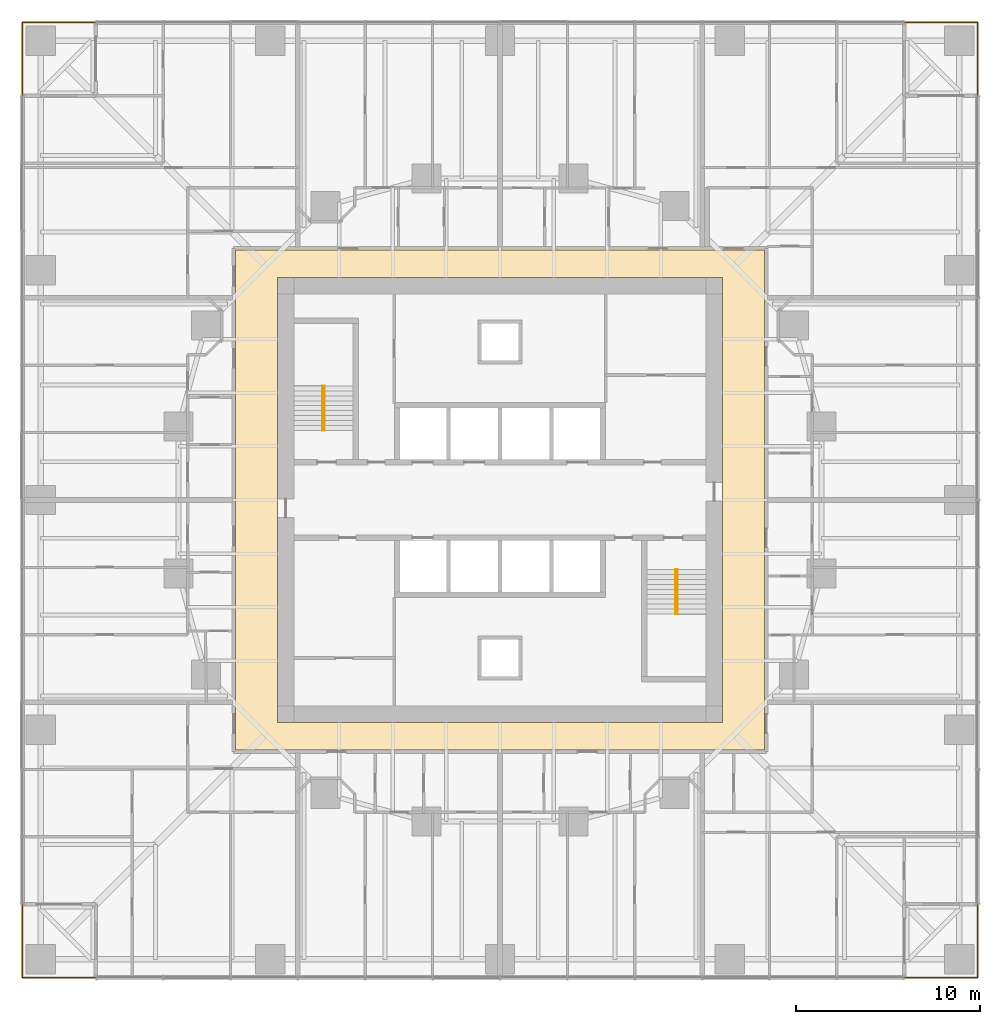
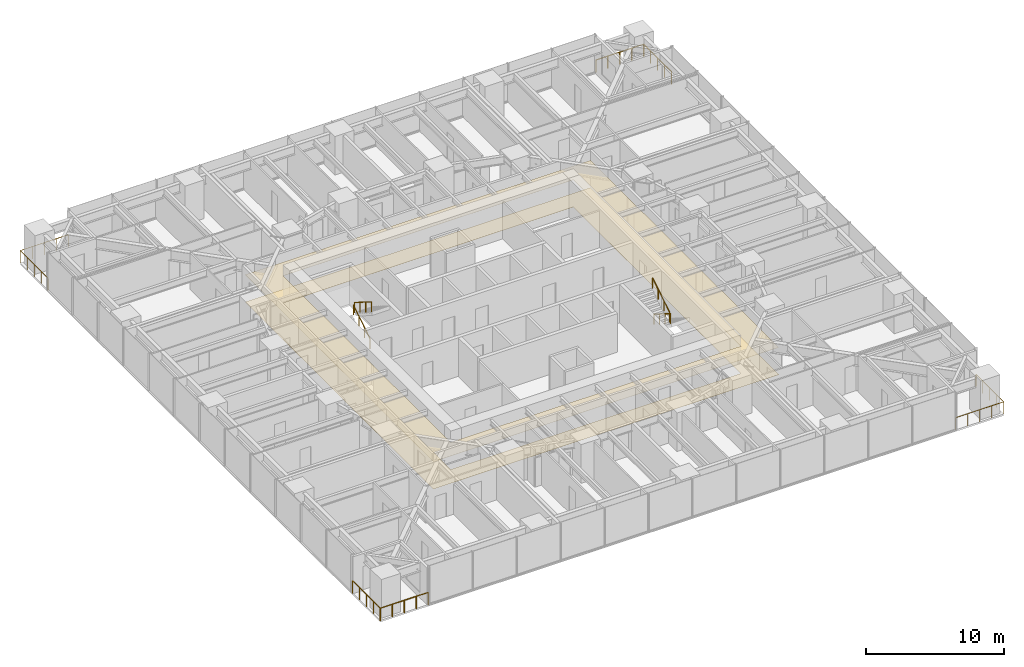
# One storey, part 17 of 17: 8 railings, 2 coverings, 2 elements without a shape of their own.
"""IFC4 building model written with IfcOpenShell, lengths in metres."""

from ifc_helpers import new_model, si_unit, direction, frame, origin, origin_2d, place, context, subcontext, project, spatial, polyline, circle, outline, extrude, material, layer, layer_set, type_object, element, aggregate, save


model = new_model("IFC4")

# Units and contexts
model_context = context("Model", 3, precision=1e-05, world=origin(), true_north=direction((0.0, 1.0)))
body_context = subcontext(model_context, "Body", "Model", "MODEL_VIEW")
ifc_project = project(units=[si_unit("LENGTHUNIT", "METRE"), si_unit("AREAUNIT", "SQUARE_METRE"), si_unit("VOLUMEUNIT", "CUBIC_METRE"), si_unit("PLANEANGLEUNIT", "RADIAN"), si_unit("MASSUNIT", "GRAM", prefix="KILO")], contexts=[model_context])

# Site, building, storey
site_placement = place(None, origin())
site = spatial("IfcSite", under=ifc_project, at=site_placement, CompositionType="ELEMENT")
building_placement = place(site_placement, origin())
building = spatial("IfcBuilding", under=site, at=building_placement, Name="Torsade Residences", CompositionType="ELEMENT")
storey_placement = place(building_placement, frame((0.0, 0.0, 21.800048828125)))
storey = spatial("IfcBuildingStorey", under=building, at=storey_placement, Name="L05", CompositionType="ELEMENT", Elevation=21.800048828125)

# Coverings
ifc_material_1 = material(Name="Nylon carpet tile on underlay", Category="textile")
ifc_layer_1 = layer(ifc_material_1, 0.010009765625)
ifc_layer_set_1 = layer_set([ifc_layer_1], Name="Nylon carpet tile on underlay")
covering_type_1 = type_object("IfcCoveringType", Name="CORRIDOR CARPET TILE 10", PredefinedType="FLOORING", material=ifc_layer_set_1)
covering_1_placement = place(storey_placement, origin())
element("IfcCovering", 1, at=covering_1_placement, inside=storey, type_object=covering_type_1, Name="Corridor carpet L05", PredefinedType="FLOORING", context=body_context, shape_type="SweptSolid", body=[
    extrude(outline(polyline([(54.39990234375, 16.39990234375), (54.39990234375, 43.60009765625), (25.60009765625, 43.60009765625), (25.60009765625, 16.39990234375), (54.39990234375, 16.39990234375)]), holes=[polyline([(52.10009765625, 42.10009765625), (27.89990234375, 42.10009765625), (27.89990234375, 17.89990234375), (52.10009765625, 17.89990234375), (52.10009765625, 42.10009765625)])]), origin(), (0.0, 0.0, 1.0), 0.010009765625),
])
ifc_material_2 = material(Name="Plasterboard on suspended steel grid", Category="steel")
ifc_layer_2 = layer(ifc_material_2, 0.012939453125)
ifc_layer_set_2 = layer_set([ifc_layer_2], Name="Plasterboard on suspended steel grid")
covering_type_2 = type_object("IfcCoveringType", Name="CORRIDOR SUSPENDED CEILING 13", PredefinedType="CEILING", material=ifc_layer_set_2)
covering_2_placement = place(storey_placement, frame((0.0, 0.0, 2.39990234375)))
element("IfcCovering", 2, at=covering_2_placement, inside=storey, type_object=covering_type_2, Name="Corridor ceiling L05", PredefinedType="CEILING", context=body_context, shape_type="SweptSolid", body=[
    extrude(outline(polyline([(54.39990234375, 16.39990234375), (54.39990234375, 43.60009765625), (25.60009765625, 43.60009765625), (25.60009765625, 16.39990234375), (54.39990234375, 16.39990234375)]), holes=[polyline([(52.10009765625, 42.10009765625), (27.89990234375, 42.10009765625), (27.89990234375, 17.89990234375), (52.10009765625, 17.89990234375), (52.10009765625, 42.10009765625)])]), origin(), (0.0, 0.0, 1.0), 0.012939453125),
])

# Stair, railings
ifc_material_3 = material(Name="Precast concrete 40 MPa", Category="concrete")
stair_type = type_object("IfcStairType", Name="HALF-TURN FIRE STAIR 1500x3400", PredefinedType="HALF_TURN_STAIR", material=ifc_material_3)
stair_1_placement = place(storey_placement, origin())
stair_1 = element("IfcStair", 3, at=stair_1_placement, inside=storey, type_object=stair_type, Name="Stair ST1 L05", PredefinedType="HALF_TURN_STAIR")
ifc_material_4 = material(Name="Steel handrail", Category="steel")
railing_type_1 = type_object("IfcRailingType", Name="STAIR HANDRAIL 900", PredefinedType="HANDRAIL", material=ifc_material_4)
railing_1_placement = place(storey_placement, frame((30.35009765625, 33.780029296875, 0.169921875)))
railing_1 = element("IfcRailing", 4, at=railing_1_placement, type_object=railing_type_1, Name="Handrail ST1 flight 1 L05", PredefinedType="HANDRAIL", context=body_context, shape_type="SweptSolid", body=[
    extrude(circle(Radius=0.02392578125, at=origin_2d()), frame((0.0, 0.0, 0.8759765625), z_axis=(0.0, 0.846221481393, 0.532831309544), x_axis=(-1.0, 0.0, 0.0)), (0.0, 0.0, 1.0), 2.87158203125),
    extrude(circle(Radius=0.02099609375, at=origin_2d()), origin(), (0.0, 0.0, 1.0), 0.851806640625),
    extrude(circle(Radius=0.02099609375, at=origin_2d()), frame((0.0, 0.81005859375, 0.510009765625)), (0.0, 0.0, 1.0), 0.851806640625),
    extrude(circle(Radius=0.02099609375, at=origin_2d()), frame((0.0, 1.619873046875, 1.02001953125)), (0.0, 0.0, 1.0), 0.851806640625),
    extrude(circle(Radius=0.02099609375, at=origin_2d()), frame((0.0, 2.429931640625, 1.530029296875)), (0.0, 0.0, 1.0), 0.851806640625),
])
railing_2_placement = place(storey_placement, frame((30.449951171875, 36.2099609375, 1.869873046875)))
railing_2 = element("IfcRailing", 5, at=railing_2_placement, type_object=railing_type_1, Name="Handrail ST1 flight 2 L05", PredefinedType="HANDRAIL", context=body_context, shape_type="SweptSolid", body=[
    extrude(circle(Radius=0.02392578125, at=origin_2d()), frame((0.0, 0.0, 0.8759765625), z_axis=(0.0, -0.846221481393, 0.532831309544), x_axis=(1.0, 0.0, 0.0)), (0.0, 0.0, 1.0), 2.87158203125),
    extrude(circle(Radius=0.02099609375, at=origin_2d()), origin(), (0.0, 0.0, 1.0), 0.851806640625),
    extrude(circle(Radius=0.02099609375, at=origin_2d()), frame((0.0, -0.81005859375, 0.510009765625)), (0.0, 0.0, 1.0), 0.851806640625),
    extrude(circle(Radius=0.02099609375, at=origin_2d()), frame((0.0, -1.619873046875, 1.02001953125)), (0.0, 0.0, 1.0), 0.851806640625),
    extrude(circle(Radius=0.02099609375, at=origin_2d()), frame((0.0, -2.429931640625, 1.530029296875)), (0.0, 0.0, 1.0), 0.851806640625),
])
aggregate(stair_1, [railing_1, railing_2])

stair_2_placement = place(storey_placement, origin())
stair_2 = element("IfcStair", 6, at=stair_2_placement, inside=storey, type_object=stair_type, Name="Stair ST2 L05", PredefinedType="HALF_TURN_STAIR")
railing_3_placement = place(storey_placement, frame((49.64990234375, 26.219970703125, 0.169921875)))
railing_3 = element("IfcRailing", 7, at=railing_3_placement, type_object=railing_type_1, Name="Handrail ST2 flight 1 L05", PredefinedType="HANDRAIL", context=body_context, shape_type="SweptSolid", body=[
    extrude(circle(Radius=0.02392578125, at=origin_2d()), frame((0.0, 0.0, 0.8759765625), z_axis=(0.0, -0.846221481393, 0.532831309544), x_axis=(1.0, 0.0, 0.0)), (0.0, 0.0, 1.0), 2.87158203125),
    extrude(circle(Radius=0.02099609375, at=origin_2d()), origin(), (0.0, 0.0, 1.0), 0.851806640625),
    extrude(circle(Radius=0.02099609375, at=origin_2d()), frame((0.0, -0.81005859375, 0.510009765625)), (0.0, 0.0, 1.0), 0.851806640625),
    extrude(circle(Radius=0.02099609375, at=origin_2d()), frame((0.0, -1.619873046875, 1.02001953125)), (0.0, 0.0, 1.0), 0.851806640625),
    extrude(circle(Radius=0.02099609375, at=origin_2d()), frame((0.0, -2.429931640625, 1.530029296875)), (0.0, 0.0, 1.0), 0.851806640625),
])
railing_4_placement = place(storey_placement, frame((49.550048828125, 23.7900390625, 1.869873046875)))
railing_4 = element("IfcRailing", 8, at=railing_4_placement, type_object=railing_type_1, Name="Handrail ST2 flight 2 L05", PredefinedType="HANDRAIL", context=body_context, shape_type="SweptSolid", body=[
    extrude(circle(Radius=0.02392578125, at=origin_2d()), frame((0.0, 0.0, 0.8759765625), z_axis=(0.0, 0.846221481393, 0.532831309544), x_axis=(-1.0, 0.0, 0.0)), (0.0, 0.0, 1.0), 2.87158203125),
    extrude(circle(Radius=0.02099609375, at=origin_2d()), origin(), (0.0, 0.0, 1.0), 0.851806640625),
    extrude(circle(Radius=0.02099609375, at=origin_2d()), frame((0.0, 0.81005859375, 0.510009765625)), (0.0, 0.0, 1.0), 0.851806640625),
    extrude(circle(Radius=0.02099609375, at=origin_2d()), frame((0.0, 1.619873046875, 1.02001953125)), (0.0, 0.0, 1.0), 0.851806640625),
    extrude(circle(Radius=0.02099609375, at=origin_2d()), frame((0.0, 2.429931640625, 1.530029296875)), (0.0, 0.0, 1.0), 0.851806640625),
])
aggregate(stair_2, [railing_3, railing_4])

# Railings
ifc_material_5 = material(Name="Laminated glass balustrade", Category="glass")
railing_type_2 = type_object("IfcRailingType", Name="TERRACE GLASS BALUSTRADE 1100", PredefinedType="BALUSTRADE", material=ifc_material_5)
railing_5_placement = place(storey_placement, frame((62.0, 4.0, 0.0)))
element("IfcRailing", 9, at=railing_5_placement, inside=storey, type_object=railing_type_2, Name="Terrace balustrade SE L05", PredefinedType="BALUSTRADE", context=body_context, shape_type="SweptSolid", body=[
    extrude(circle(Radius=0.02392578125, at=origin_2d()), frame((0.0, 0.0, 1.076171875), z_axis=(1.0, 0.0, 0.0), x_axis=(0.0, 1.0, 0.0)), (0.0, 0.0, 1.0), 4.0),
    extrude(circle(Radius=0.02392578125, at=origin_2d()), frame((4.0, 0.0, 1.076171875), z_axis=(0.0, 1.0, 0.0), x_axis=(-1.0, 0.0, 0.0)), (0.0, 0.0, 1.0), 4.0),
    extrude(circle(Radius=0.02099609375, at=origin_2d()), origin(), (0.0, 0.0, 1.0), 1.052001953125),
    extrude(circle(Radius=0.02099609375, at=origin_2d()), frame((1.0, 0.0, 0.0)), (0.0, 0.0, 1.0), 1.052001953125),
    extrude(circle(Radius=0.02099609375, at=origin_2d()), frame((2.0, 0.0, 0.0)), (0.0, 0.0, 1.0), 1.052001953125),
    extrude(circle(Radius=0.02099609375, at=origin_2d()), frame((3.0, 0.0, 0.0)), (0.0, 0.0, 1.0), 1.052001953125),
    extrude(circle(Radius=0.02099609375, at=origin_2d()), frame((4.0, 0.0, 0.0)), (0.0, 0.0, 1.0), 1.052001953125),
    extrude(circle(Radius=0.02099609375, at=origin_2d()), frame((4.0, 1.0, 0.0)), (0.0, 0.0, 1.0), 1.052001953125),
    extrude(circle(Radius=0.02099609375, at=origin_2d()), frame((4.0, 2.0, 0.0)), (0.0, 0.0, 1.0), 1.052001953125),
    extrude(circle(Radius=0.02099609375, at=origin_2d()), frame((4.0, 3.0, 0.0)), (0.0, 0.0, 1.0), 1.052001953125),
    extrude(circle(Radius=0.02099609375, at=origin_2d()), frame((4.0, 4.0, 0.0)), (0.0, 0.0, 1.0), 1.052001953125),
])
railing_6_placement = place(storey_placement, frame((66.0, 52.0, 0.0)))
element("IfcRailing", 10, at=railing_6_placement, inside=storey, type_object=railing_type_2, Name="Terrace balustrade NE L05", PredefinedType="BALUSTRADE", context=body_context, shape_type="SweptSolid", body=[
    extrude(circle(Radius=0.02392578125, at=origin_2d()), frame((0.0, 0.0, 1.076171875), z_axis=(0.0, 1.0, 0.0), x_axis=(-1.0, 0.0, 0.0)), (0.0, 0.0, 1.0), 4.0),
    extrude(circle(Radius=0.02392578125, at=origin_2d()), frame((0.0, 4.0, 1.076171875), z_axis=(-1.0, 0.0, 0.0), x_axis=(0.0, -1.0, 0.0)), (0.0, 0.0, 1.0), 4.0),
    extrude(circle(Radius=0.02099609375, at=origin_2d()), origin(), (0.0, 0.0, 1.0), 1.052001953125),
    extrude(circle(Radius=0.02099609375, at=origin_2d()), frame((0.0, 1.0, 0.0)), (0.0, 0.0, 1.0), 1.052001953125),
    extrude(circle(Radius=0.02099609375, at=origin_2d()), frame((0.0, 2.0, 0.0)), (0.0, 0.0, 1.0), 1.052001953125),
    extrude(circle(Radius=0.02099609375, at=origin_2d()), frame((0.0, 3.0, 0.0)), (0.0, 0.0, 1.0), 1.052001953125),
    extrude(circle(Radius=0.02099609375, at=origin_2d()), frame((0.0, 4.0, 0.0)), (0.0, 0.0, 1.0), 1.052001953125),
    extrude(circle(Radius=0.02099609375, at=origin_2d()), frame((-1.0, 4.0, 0.0)), (0.0, 0.0, 1.0), 1.052001953125),
    extrude(circle(Radius=0.02099609375, at=origin_2d()), frame((-2.0, 4.0, 0.0)), (0.0, 0.0, 1.0), 1.052001953125),
    extrude(circle(Radius=0.02099609375, at=origin_2d()), frame((-3.0, 4.0, 0.0)), (0.0, 0.0, 1.0), 1.052001953125),
    extrude(circle(Radius=0.02099609375, at=origin_2d()), frame((-4.0, 4.0, 0.0)), (0.0, 0.0, 1.0), 1.052001953125),
])
railing_7_placement = place(storey_placement, frame((18.0, 56.0, 0.0)))
element("IfcRailing", 11, at=railing_7_placement, inside=storey, type_object=railing_type_2, Name="Terrace balustrade NW L05", PredefinedType="BALUSTRADE", context=body_context, shape_type="SweptSolid", body=[
    extrude(circle(Radius=0.02392578125, at=origin_2d()), frame((0.0, 0.0, 1.076171875), z_axis=(-1.0, 0.0, 0.0), x_axis=(0.0, -1.0, 0.0)), (0.0, 0.0, 1.0), 4.0),
    extrude(circle(Radius=0.02392578125, at=origin_2d()), frame((-4.0, 0.0, 1.076171875), z_axis=(0.0, -1.0, 0.0), x_axis=(1.0, 0.0, 0.0)), (0.0, 0.0, 1.0), 4.0),
    extrude(circle(Radius=0.02099609375, at=origin_2d()), origin(), (0.0, 0.0, 1.0), 1.052001953125),
    extrude(circle(Radius=0.02099609375, at=origin_2d()), frame((-1.0, 0.0, 0.0)), (0.0, 0.0, 1.0), 1.052001953125),
    extrude(circle(Radius=0.02099609375, at=origin_2d()), frame((-2.0, 0.0, 0.0)), (0.0, 0.0, 1.0), 1.052001953125),
    extrude(circle(Radius=0.02099609375, at=origin_2d()), frame((-3.0, 0.0, 0.0)), (0.0, 0.0, 1.0), 1.052001953125),
    extrude(circle(Radius=0.02099609375, at=origin_2d()), frame((-4.0, 0.0, 0.0)), (0.0, 0.0, 1.0), 1.052001953125),
    extrude(circle(Radius=0.02099609375, at=origin_2d()), frame((-4.0, -1.0, 0.0)), (0.0, 0.0, 1.0), 1.052001953125),
    extrude(circle(Radius=0.02099609375, at=origin_2d()), frame((-4.0, -2.0, 0.0)), (0.0, 0.0, 1.0), 1.052001953125),
    extrude(circle(Radius=0.02099609375, at=origin_2d()), frame((-4.0, -3.0, 0.0)), (0.0, 0.0, 1.0), 1.052001953125),
    extrude(circle(Radius=0.02099609375, at=origin_2d()), frame((-4.0, -4.0, 0.0)), (0.0, 0.0, 1.0), 1.052001953125),
])
railing_8_placement = place(storey_placement, frame((14.0, 8.0, 0.0)))
element("IfcRailing", 12, at=railing_8_placement, inside=storey, type_object=railing_type_2, Name="Terrace balustrade SW L05", PredefinedType="BALUSTRADE", context=body_context, shape_type="SweptSolid", body=[
    extrude(circle(Radius=0.02392578125, at=origin_2d()), frame((0.0, 0.0, 1.076171875), z_axis=(0.0, -1.0, 0.0), x_axis=(1.0, 0.0, 0.0)), (0.0, 0.0, 1.0), 4.0),
    extrude(circle(Radius=0.02392578125, at=origin_2d()), frame((0.0, -4.0, 1.076171875), z_axis=(1.0, 0.0, 0.0), x_axis=(0.0, 1.0, 0.0)), (0.0, 0.0, 1.0), 4.0),
    extrude(circle(Radius=0.02099609375, at=origin_2d()), origin(), (0.0, 0.0, 1.0), 1.052001953125),
    extrude(circle(Radius=0.02099609375, at=origin_2d()), frame((0.0, -1.0, 0.0)), (0.0, 0.0, 1.0), 1.052001953125),
    extrude(circle(Radius=0.02099609375, at=origin_2d()), frame((0.0, -2.0, 0.0)), (0.0, 0.0, 1.0), 1.052001953125),
    extrude(circle(Radius=0.02099609375, at=origin_2d()), frame((0.0, -3.0, 0.0)), (0.0, 0.0, 1.0), 1.052001953125),
    extrude(circle(Radius=0.02099609375, at=origin_2d()), frame((0.0, -4.0, 0.0)), (0.0, 0.0, 1.0), 1.052001953125),
    extrude(circle(Radius=0.02099609375, at=origin_2d()), frame((1.0, -4.0, 0.0)), (0.0, 0.0, 1.0), 1.052001953125),
    extrude(circle(Radius=0.02099609375, at=origin_2d()), frame((2.0, -4.0, 0.0)), (0.0, 0.0, 1.0), 1.052001953125),
    extrude(circle(Radius=0.02099609375, at=origin_2d()), frame((3.0, -4.0, 0.0)), (0.0, 0.0, 1.0), 1.052001953125),
    extrude(circle(Radius=0.02099609375, at=origin_2d()), frame((4.0, -4.0, 0.0)), (0.0, 0.0, 1.0), 1.052001953125),
])

save(model, "model.ifc")
